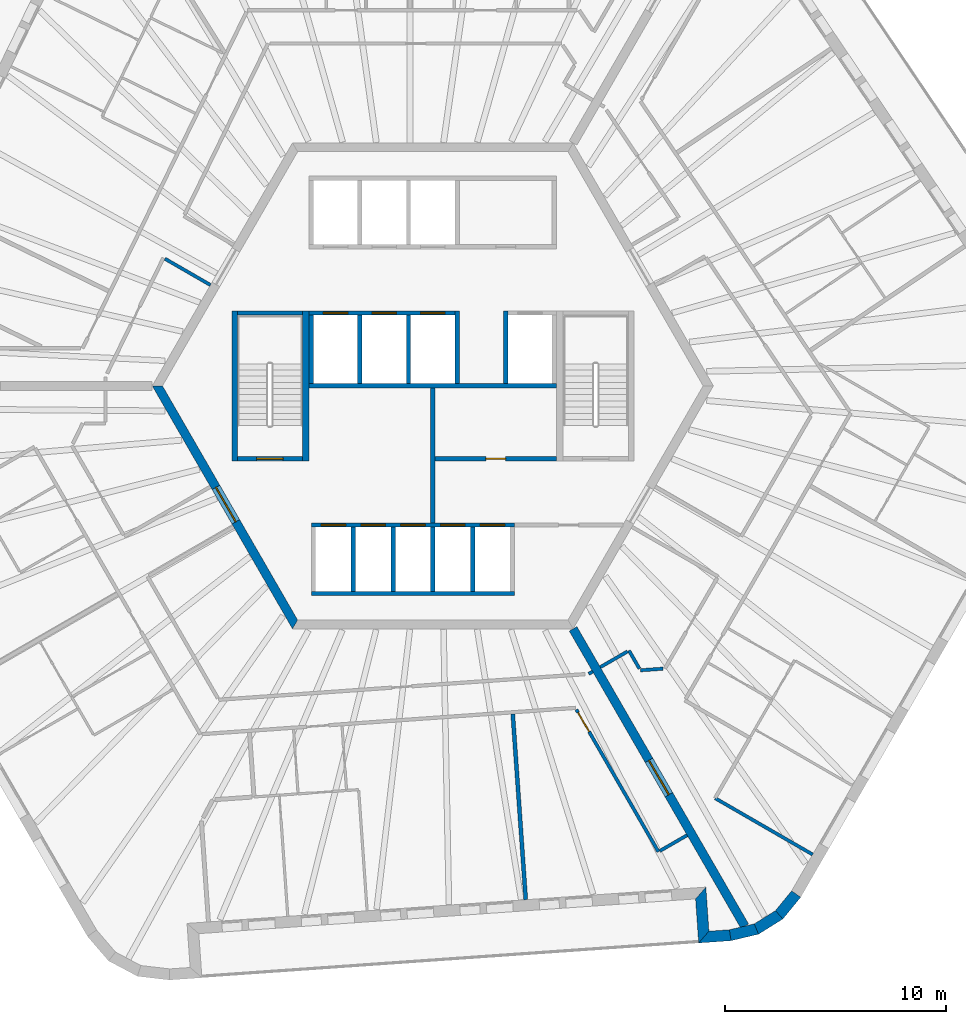
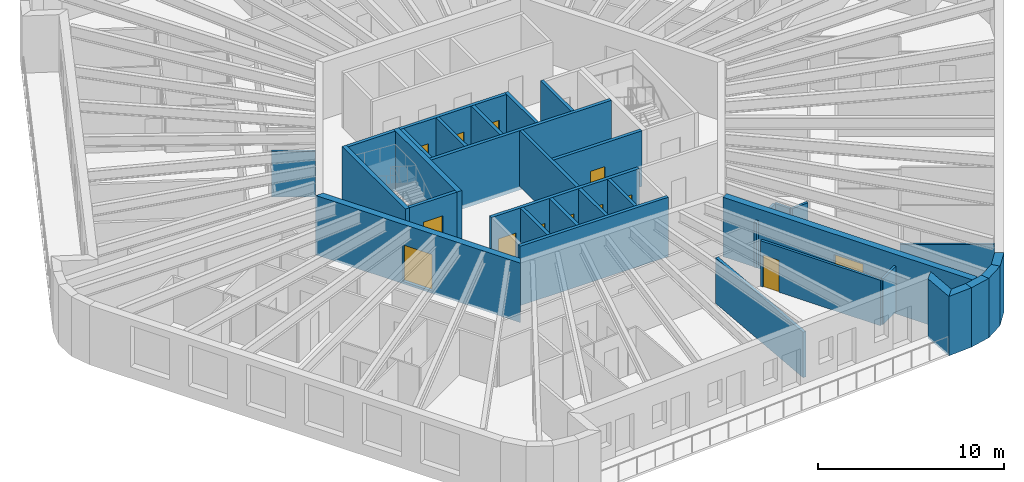
# One storey, part 5 of 12: 35 walls, 13 doors, 13 openings.
"""IFC4 building model written with IfcOpenShell, lengths in metres."""

from ifc_helpers import new_model, si_unit, direction, frame, frame_2d, origin, place, context, subcontext, project, spatial, polyline, rectangle, outline, extrude, material, layer, layer_set, type_object, element, fill, save


model = new_model("IFC4")

# Units and contexts
model_context = context("Model", 3, precision=1e-05, world=origin(), true_north=direction((0.0, 1.0)))
body_context = subcontext(model_context, "Body", "Model", "MODEL_VIEW")
ifc_project = project(units=[si_unit("LENGTHUNIT", "METRE"), si_unit("AREAUNIT", "SQUARE_METRE"), si_unit("VOLUMEUNIT", "CUBIC_METRE"), si_unit("PLANEANGLEUNIT", "RADIAN"), si_unit("MASSUNIT", "GRAM", prefix="KILO")], contexts=[model_context])

# Site, building, storey
site_placement = place(None, origin())
site = spatial("IfcSite", under=ifc_project, at=site_placement, CompositionType="ELEMENT")
building_placement = place(site_placement, origin())
building = spatial("IfcBuilding", under=site, at=building_placement, Name="Tarnside Tower", CompositionType="ELEMENT")
storey_placement = place(building_placement, frame((0.0, 0.0, 299.10009765625)))
storey = spatial("IfcBuildingStorey", under=building, at=storey_placement, Name="L72", CompositionType="ELEMENT", Elevation=299.10009765625)

# Wall, opening, door
ifc_material_1 = material(Name="Concrete C40/50", Category="concrete")
ifc_layer_1 = layer(ifc_material_1, 0.199951171875)
ifc_layer_set_1 = layer_set([ifc_layer_1], Name="Core room partition 200 C40/50")
wall_type_1 = type_object("IfcWallType", Name="Core room partition 200 C40/50", PredefinedType="PARTITIONING", material=ifc_layer_set_1)
wall_1_placement = place(storey_placement, frame((0.10009765625, -3.300048828125, 0.0), z_axis=(0.0, 0.0, 1.0), x_axis=(1.0, 0.0, 0.0)))
wall_1 = element("IfcWall", 1, at=wall_1_placement, inside=storey, type_object=wall_type_1, Name="L72 core partition R3S1", PredefinedType="PARTITIONING", context=body_context, shape_type="SweptSolid", body=[
    extrude(rectangle(XDim=5.5, YDim=0.199951171875, at=frame_2d((2.75, 0.0))), origin(), (0.0, 0.0, 1.0), 3.64990234375),
])
opening_1_placement = place(wall_1_placement, frame((2.300048828125, 0.0, 0.0)))
opening_1 = element("IfcOpeningElement", 2, at=opening_1_placement, cuts=wall_1, Name="Opening CD-room", PredefinedType="OPENING", context=body_context, shape_type="SweptSolid", body=[
    extrude(rectangle(XDim=0.89990234375, YDim=2.10009765625, at=frame_2d((0.449951171875, 1.050048828125))), frame((0.0, 0.10986328125, 0.0), z_axis=(0.0, -1.0, 0.0), x_axis=(1.0, 0.0, 0.0)), (0.0, 0.0, 1.0), 0.219970703125),
])
ifc_material_2 = material(Name="Steel fire door", Category="steel")
door_type_1 = type_object("IfcDoorType", Name="Room door FD60 900x2100", OperationType="NOTDEFINED", PredefinedType="DOOR", material=ifc_material_2)
door_1_placement = place(opening_1_placement, origin())
door_1 = element("IfcDoor", 3, at=door_1_placement, inside=storey, type_object=door_type_1, Name="L72 core room door SR1", OperationType="SINGLE_SWING_LEFT", OverallHeight=2.10009765625, OverallWidth=0.89990234375, PredefinedType="DOOR", context=body_context, shape_type="SweptSolid", body=[
    extrude(rectangle(XDim=0.89990234375, YDim=2.10009765625, at=frame_2d((0.449951171875, 1.050048828125))), frame((0.0, 0.02490234375, 0.0), z_axis=(0.0, -1.0, 0.0), x_axis=(1.0, 0.0, 0.0)), (0.0, 0.0, 1.0), 0.050048828125),
])
fill(opening_1, door_1)

# Wall
wall_2_placement = place(storey_placement, frame((0.0, -6.199951171875, 0.0), z_axis=(0.0, 0.0, 1.0), x_axis=(0.0, 1.0, 0.0)))
element("IfcWall", 4, at=wall_2_placement, inside=storey, type_object=wall_type_1, Name="L72 core partition X0", PredefinedType="PARTITIONING", context=body_context, shape_type="SweptSolid", body=[
    extrude(rectangle(XDim=6.099853515625, YDim=0.199951171875, at=frame_2d((3.0498046875, 0.0))), origin(), (0.0, 0.0, 1.0), 3.64990234375),
])

# Wall, opening, door
ifc_material_3 = material(Name="Concrete C60/75", Category="concrete")
ifc_layer_2 = layer(ifc_material_3, 0.39990234375)
ifc_layer_set_2 = layer_set([ifc_layer_2], Name="Core wall Z3 400 C60/75")
wall_type_2 = type_object("IfcWallType", Name="Core wall Z3 400 C60/75", PredefinedType="SHEAR", material=ifc_layer_set_2)
wall_3_placement = place(storey_placement, frame((-12.470703125, 0.0, -0.150146484375), z_axis=(0.0, 0.0, 1.0), x_axis=(0.499996419489, -0.866027470984, 0.0)))
wall_3 = element("IfcWall", 5, at=wall_3_placement, inside=storey, type_object=wall_type_2, Name="L72 core wall face 3", PredefinedType="SHEAR", context=body_context, shape_type="SweptSolid", body=[
    extrude(outline(polyline([(-0.115478515625, -0.199951171875), (12.586181640625, -0.199951171875), (12.355224609375, 0.199951171875), (0.115478515625, 0.199951171875), (-0.115478515625, -0.199951171875)])), origin(), (0.0, 0.0, 1.0), 3.900146484375),
])
opening_2_placement = place(wall_3_placement, frame((5.306396484375, 0.0, 0.14990234375)))
opening_2 = element("IfcOpeningElement", 6, at=opening_2_placement, cuts=wall_3, Name="Opening CD-FFL", PredefinedType="OPENING", context=body_context, shape_type="SweptSolid", body=[
    extrude(rectangle(XDim=1.800048828125, YDim=2.39990234375, at=frame_2d((0.89990234375, 1.199951171875))), frame((0.0, 0.2099609375, 0.0), z_axis=(0.0, -1.0, 0.0), x_axis=(1.0, 0.0, 0.0)), (0.0, 0.0, 1.0), 0.419921875),
])
door_type_2 = type_object("IfcDoorType", Name="Firefighting lobby double door FD60S 1800x2400", OperationType="NOTDEFINED", PredefinedType="DOOR", material=ifc_material_2)
door_2_placement = place(opening_2_placement, origin())
door_2 = element("IfcDoor", 7, at=door_2_placement, inside=storey, type_object=door_type_2, Name="L72 core door P3", OperationType="DOUBLE_DOOR_SINGLE_SWING", OverallHeight=2.39990234375, OverallWidth=1.800048828125, PredefinedType="DOOR", context=body_context, shape_type="SweptSolid", body=[
    extrude(rectangle(XDim=1.800048828125, YDim=2.39990234375, at=frame_2d((0.89990234375, 1.199951171875))), frame((0.0, 0.02490234375, 0.0), z_axis=(0.0, -1.0, 0.0), x_axis=(1.0, 0.0, 0.0)), (0.0, 0.0, 1.0), 0.050048828125),
])
fill(opening_2, door_2)

wall_4_placement = place(storey_placement, frame((6.350830078125, -11.0, -0.150146484375), z_axis=(0.0, 0.0, 1.0), x_axis=(0.499998894578, -0.866026041999, 0.0)))
wall_4 = element("IfcWall", 8, at=wall_4_placement, inside=storey, type_object=wall_type_2, Name="L72 spine wall 3", PredefinedType="SHEAR", context=body_context, shape_type="SweptSolid", body=[
    extrude(rectangle(XDim=15.54443359375, YDim=0.39990234375, at=frame_2d((7.772216796875, 0.0))), origin(), (0.0, 0.0, 1.0), 3.900146484375),
])
opening_3_placement = place(wall_4_placement, frame((6.872314453125, 0.0, 0.14990234375)))
opening_3 = element("IfcOpeningElement", 9, at=opening_3_placement, cuts=wall_4, Name="Opening CD-SPN", PredefinedType="OPENING", context=body_context, shape_type="SweptSolid", body=[
    extrude(rectangle(XDim=1.800048828125, YDim=2.39990234375, at=frame_2d((0.89990234375, 1.199951171875))), frame((0.0, 0.2099609375, 0.0), z_axis=(0.0, -1.0, 0.0), x_axis=(1.0, 0.0, 0.0)), (0.0, 0.0, 1.0), 0.419921875),
])
door_type_3 = type_object("IfcDoorType", Name="Spine passage double door FD60 1800x2400", OperationType="NOTDEFINED", PredefinedType="DOOR", material=ifc_material_2)
door_3_placement = place(opening_3_placement, origin())
door_3 = element("IfcDoor", 10, at=door_3_placement, inside=storey, type_object=door_type_3, Name="L72 spine passage door 3", OperationType="DOUBLE_DOOR_SINGLE_SWING", OverallHeight=2.39990234375, OverallWidth=1.800048828125, PredefinedType="DOOR", context=body_context, shape_type="SweptSolid", body=[
    extrude(rectangle(XDim=1.800048828125, YDim=2.39990234375, at=frame_2d((0.89990234375, 1.199951171875))), frame((0.0, 0.02490234375, 0.0), z_axis=(0.0, -1.0, 0.0), x_axis=(1.0, 0.0, 0.0)), (0.0, 0.0, 1.0), 0.050048828125),
])
fill(opening_3, door_3)

# Wall
ifc_material_4 = material(Name="Gypsum board partition on steel studs", Category="steel")
ifc_layer_3 = layer(ifc_material_4, 0.14990234375)
ifc_layer_set_3 = layer_set([ifc_layer_3], Name="Corridor wall 150 EI 60")
wall_type_3 = type_object("IfcWallType", Name="Corridor wall 150 EI 60", PredefinedType="PARTITIONING", material=ifc_layer_set_3)
wall_5_placement = place(storey_placement, frame((-12.12890625, 5.7568359375, 0.0), z_axis=(0.0, 0.0, 1.0), x_axis=(0.866033707122, -0.499985617921, 0.0)))
element("IfcWall", 11, at=wall_5_placement, inside=storey, type_object=wall_type_3, Name="Corridor wall 23027", PredefinedType="PARTITIONING", context=body_context, shape_type="SweptSolid", body=[
    extrude(rectangle(XDim=2.38232421875, YDim=0.14990234375, at=frame_2d((1.191162109375, 0.0))), origin(), (0.0, 0.0, 1.0), 2.98779296875),
])

# Wall, opening, door
wall_6_placement = place(storey_placement, frame((6.49951171875, -14.6572265625, 0.0), z_axis=(0.0, 0.0, 1.0), x_axis=(0.499966098742, -0.8660449758, 0.0)))
wall_6 = element("IfcWall", 12, at=wall_6_placement, inside=storey, type_object=wall_type_3, Name="Corridor wall 23042", PredefinedType="PARTITIONING", context=body_context, shape_type="SweptSolid", body=[
    extrude(rectangle(XDim=7.4306640625, YDim=0.14990234375, at=frame_2d((3.71533203125, 0.0))), origin(), (0.0, 0.0, 1.0), 2.98779296875),
])
opening_4_placement = place(wall_6_placement, frame((0.14990234375, 0.0, 0.0)))
opening_4 = element("IfcOpeningElement", 13, at=opening_4_placement, cuts=wall_6, Name="Opening D-E1", PredefinedType="OPENING", context=body_context, shape_type="SweptSolid", body=[
    extrude(rectangle(XDim=1.0, YDim=2.10009765625, at=frame_2d((0.5, 1.050048828125))), frame((0.0, 0.0849609375, 0.0), z_axis=(0.0, -1.0, 0.0), x_axis=(1.0, 0.0, 0.0)), (0.0, 0.0, 1.0), 0.169921875),
])
ifc_material_5 = material(Name="Timber door leaf", Category="wood")
door_type_4 = type_object("IfcDoorType", Name="Unit entrance door 1000 FD30S", OperationType="NOTDEFINED", PredefinedType="DOOR", material=ifc_material_5)
door_4_placement = place(opening_4_placement, origin())
door_4 = element("IfcDoor", 14, at=door_4_placement, inside=storey, type_object=door_type_4, Name="Unit door 23038", OperationType="SINGLE_SWING_RIGHT", OverallHeight=2.10009765625, OverallWidth=1.0, PredefinedType="DOOR", context=body_context, shape_type="SweptSolid", body=[
    extrude(rectangle(XDim=1.0, YDim=2.10009765625, at=frame_2d((0.5, 1.050048828125))), frame((0.0, 0.02490234375, 0.0), z_axis=(0.0, -1.0, 0.0), x_axis=(1.0, 0.0, 0.0)), (0.0, 0.0, 1.0), 0.050048828125),
])
fill(opening_4, door_4)

# Walls
wall_7_placement = place(storey_placement, frame((10.27978515625, -21.054931640625, 0.0), z_axis=(0.0, 0.0, 1.0), x_axis=(0.866020080793, 0.500009219579, 0.0)))
element("IfcWall", 15, at=wall_7_placement, inside=storey, type_object=wall_type_3, Name="Corridor wall 23043", PredefinedType="PARTITIONING", context=body_context, shape_type="SweptSolid", body=[
    extrude(rectangle(XDim=1.4248046875, YDim=0.14990234375, at=frame_2d((0.71240234375, 0.0))), origin(), (0.0, 0.0, 1.0), 2.98779296875),
])
wall_8_placement = place(storey_placement, frame((7.23681640625, -12.9345703125, 0.0), z_axis=(0.0, 0.0, 1.0), x_axis=(-0.866088799389, -0.499890179513, 0.0)))
element("IfcWall", 16, at=wall_8_placement, inside=storey, type_object=wall_type_3, Name="Corridor wall 23049", PredefinedType="PARTITIONING", context=body_context, shape_type="SweptSolid", body=[
    extrude(rectangle(XDim=0.2099609375, YDim=0.14990234375, at=frame_2d((0.10498046875, 0.0))), origin(), (0.0, 0.0, 1.0), 2.98779296875),
])
wall_9_placement = place(storey_placement, frame((17.196044921875, -21.215576171875, 0.0), z_axis=(0.0, 0.0, 1.0), x_axis=(-0.866024511559, 0.500001545377, 0.0)))
element("IfcWall", 17, at=wall_9_placement, inside=storey, type_object=wall_type_3, Name="Corridor wall 23058", PredefinedType="PARTITIONING", context=body_context, shape_type="SweptSolid", body=[
    extrude(rectangle(XDim=5.0986328125, YDim=0.14990234375, at=frame_2d((2.54931640625, 0.0))), origin(), (0.0, 0.0, 1.0), 2.98779296875),
])
wall_10_placement = place(storey_placement, frame((10.418701171875, -12.804443359375, 0.0), z_axis=(0.0, 0.0, 1.0), x_axis=(-0.997558136861, -0.069840987838, 0.0)))
element("IfcWall", 18, at=wall_10_placement, inside=storey, type_object=wall_type_3, Name="Corridor wall 23075", PredefinedType="PARTITIONING", context=body_context, shape_type="SweptSolid", body=[
    extrude(rectangle(XDim=1.024169921875, YDim=0.14990234375, at=frame_2d((0.51220703125, 0.0))), origin(), (0.0, 0.0, 1.0), 2.98779296875),
])
wall_11_placement = place(storey_placement, frame((9.355224609375, -12.8037109375, 0.0), z_axis=(0.0, 0.0, 1.0), x_axis=(-0.499998034377, 0.866026538634, 0.0)))
element("IfcWall", 19, at=wall_11_placement, inside=storey, type_object=wall_type_3, Name="Corridor wall 23076", PredefinedType="PARTITIONING", context=body_context, shape_type="SweptSolid", body=[
    extrude(rectangle(XDim=0.94580078125, YDim=0.14990234375, at=frame_2d((0.472900390625, 0.0))), origin(), (0.0, 0.0, 1.0), 2.98779296875),
])
wall_12_placement = place(storey_placement, frame((8.8173828125, -12.022216796875, 0.0), z_axis=(0.0, 0.0, 1.0), x_axis=(-0.866062911188, -0.499935029643, 0.0)))
element("IfcWall", 20, at=wall_12_placement, inside=storey, type_object=wall_type_3, Name="Corridor wall 23077", PredefinedType="PARTITIONING", context=body_context, shape_type="SweptSolid", body=[
    extrude(rectangle(XDim=1.425048828125, YDim=0.14990234375, at=frame_2d((0.71240234375, 0.0))), origin(), (0.0, 0.0, 1.0), 2.98779296875),
])
ifc_layer_4 = layer(ifc_material_4, 0.179931640625)
ifc_layer_set_4 = layer_set([ifc_layer_4], Name="Demising wall 180 EI 60")
wall_type_4 = type_object("IfcWallType", Name="Demising wall 180 EI 60", PredefinedType="PARTITIONING", material=ifc_layer_set_4)
wall_13_placement = place(storey_placement, frame((4.208251953125, -23.26318359375, 0.0), z_axis=(0.0, 0.0, 1.0), x_axis=(-0.069749826803, 0.997564515037, 0.0)))
element("IfcWall", 21, at=wall_13_placement, inside=storey, type_object=wall_type_4, Name="Demising wall 23133", PredefinedType="PARTITIONING", context=body_context, shape_type="SweptSolid", body=[
    extrude(rectangle(XDim=8.425048828125, YDim=0.179931640625, at=frame_2d((4.21240234375, 0.0))), origin(), (0.0, 0.0, 1.0), 2.98779296875),
])

# Wall, openings, doors
ifc_layer_5 = layer(ifc_material_1, 0.199951171875)
ifc_layer_set_5 = layer_set([ifc_layer_5], Name="Lift shaft wall 200 C40/50")
wall_type_5 = type_object("IfcWallType", Name="Lift shaft wall 200 C40/50", PredefinedType="SHEAR", material=ifc_layer_set_5)
wall_14_placement = place(storey_placement, frame((-5.60009765625, 3.300048828125, -0.25), z_axis=(0.0, 0.0, 1.0), x_axis=(1.0, 0.0, 0.0)))
wall_14 = element("IfcWall", 22, at=wall_14_placement, inside=storey, type_object=wall_type_5, Name="L72 lift shaft front wall R2", PredefinedType="SHEAR", context=body_context, shape_type="SweptSolid", body=[
    extrude(rectangle(XDim=6.60009765625, YDim=0.199951171875, at=frame_2d((3.300048828125, 0.0))), origin(), (0.0, 0.0, 1.0), 3.89990234375),
])
opening_5_placement = place(wall_14_placement, frame((0.64990234375, 0.0, 0.25)))
opening_5 = element("IfcOpeningElement", 23, at=opening_5_placement, cuts=wall_14, Name="Opening LD", PredefinedType="OPENING", context=body_context, shape_type="SweptSolid", body=[
    extrude(rectangle(XDim=1.10009765625, YDim=2.10009765625, at=frame_2d((0.550048828125, 1.050048828125))), frame((0.0, 0.10986328125, 0.0), z_axis=(0.0, -1.0, 0.0), x_axis=(1.0, 0.0, 0.0)), (0.0, 0.0, 1.0), 0.219970703125),
])
opening_6_placement = place(wall_14_placement, frame((2.85009765625, 0.0, 0.25)))
opening_6 = element("IfcOpeningElement", 24, at=opening_6_placement, cuts=wall_14, Name="Opening LD", PredefinedType="OPENING", context=body_context, shape_type="SweptSolid", body=[
    extrude(rectangle(XDim=1.10009765625, YDim=2.10009765625, at=frame_2d((0.550048828125, 1.050048828125))), frame((0.0, 0.10986328125, 0.0), z_axis=(0.0, -1.0, 0.0), x_axis=(1.0, 0.0, 0.0)), (0.0, 0.0, 1.0), 0.219970703125),
])
opening_7_placement = place(wall_14_placement, frame((5.050048828125, 0.0, 0.25)))
opening_7 = element("IfcOpeningElement", 25, at=opening_7_placement, cuts=wall_14, Name="Opening LD", PredefinedType="OPENING", context=body_context, shape_type="SweptSolid", body=[
    extrude(rectangle(XDim=1.10009765625, YDim=2.10009765625, at=frame_2d((0.550048828125, 1.050048828125))), frame((0.0, 0.10986328125, 0.0), z_axis=(0.0, -1.0, 0.0), x_axis=(1.0, 0.0, 0.0)), (0.0, 0.0, 1.0), 0.219970703125),
])
ifc_material_6 = material(Name="Stainless steel", Category="steel")
door_type_5 = type_object("IfcDoorType", Name="Lift landing door 1100x2100", OperationType="NOTDEFINED", PredefinedType="DOOR", material=ifc_material_6)
door_5_placement = place(opening_5_placement, origin())
door_5 = element("IfcDoor", 26, at=door_5_placement, inside=storey, type_object=door_type_5, Name="High-rise lift 4 landing door L72", OperationType="SLIDING_TO_LEFT", OverallHeight=2.10009765625, OverallWidth=1.10009765625, PredefinedType="DOOR", context=body_context, shape_type="SweptSolid", body=[
    extrude(rectangle(XDim=1.10009765625, YDim=2.10009765625, at=frame_2d((0.550048828125, 1.050048828125))), frame((0.0, 0.02490234375, 0.0), z_axis=(0.0, -1.0, 0.0), x_axis=(1.0, 0.0, 0.0)), (0.0, 0.0, 1.0), 0.050048828125),
])
fill(opening_5, door_5)
door_6_placement = place(opening_6_placement, origin())
door_6 = element("IfcDoor", 27, at=door_6_placement, inside=storey, type_object=door_type_5, Name="High-rise lift 5 landing door L72", OperationType="SLIDING_TO_LEFT", OverallHeight=2.10009765625, OverallWidth=1.10009765625, PredefinedType="DOOR", context=body_context, shape_type="SweptSolid", body=[
    extrude(rectangle(XDim=1.10009765625, YDim=2.10009765625, at=frame_2d((0.550048828125, 1.050048828125))), frame((0.0, 0.02490234375, 0.0), z_axis=(0.0, -1.0, 0.0), x_axis=(1.0, 0.0, 0.0)), (0.0, 0.0, 1.0), 0.050048828125),
])
fill(opening_6, door_6)
door_7_placement = place(opening_7_placement, origin())
door_7 = element("IfcDoor", 28, at=door_7_placement, inside=storey, type_object=door_type_5, Name="High-rise lift 6 landing door L72", OperationType="SLIDING_TO_LEFT", OverallHeight=2.10009765625, OverallWidth=1.10009765625, PredefinedType="DOOR", context=body_context, shape_type="SweptSolid", body=[
    extrude(rectangle(XDim=1.10009765625, YDim=2.10009765625, at=frame_2d((0.550048828125, 1.050048828125))), frame((0.0, 0.02490234375, 0.0), z_axis=(0.0, -1.0, 0.0), x_axis=(1.0, 0.0, 0.0)), (0.0, 0.0, 1.0), 0.050048828125),
])
fill(opening_7, door_7)

# Walls
wall_15_placement = place(storey_placement, frame((-5.60009765625, 0.0, -0.25), z_axis=(0.0, 0.0, 1.0), x_axis=(1.0, 0.0, 0.0)))
element("IfcWall", 29, at=wall_15_placement, inside=storey, type_object=wall_type_5, Name="L72 lift shaft back wall R2", PredefinedType="SHEAR", context=body_context, shape_type="SweptSolid", body=[
    extrude(rectangle(XDim=11.2001953125, YDim=0.199951171875, at=frame_2d((5.60009765625, 0.0))), origin(), (0.0, 0.0, 1.0), 3.89990234375),
])
for number, where, z_axis, x_axis, name in (
    (30, (-5.5, 0.10009765625, -0.25), (0.0, 0.0, 1.0), (0.0, 1.0, 0.0), "L72 lift shaft partition R21"),
    (31, (-3.300048828125, 0.10009765625, -0.25), (0.0, 0.0, 1.0), (0.0, 1.0, 0.0), "L72 lift shaft partition R22"),
    (32, (-1.10009765625, 0.10009765625, -0.25), (0.0, 0.0, 1.0), (0.0, 1.0, 0.0), "L72 lift shaft partition R23"),
):
    element("IfcWall", number, at=place(storey_placement, frame(where, z_axis=z_axis, x_axis=x_axis)), inside=storey, type_object=wall_type_5, Name=name, PredefinedType="SHEAR", context=body_context, shape_type="SweptSolid", body=[
        extrude(rectangle(XDim=3.099853515625, YDim=0.199951171875, at=frame_2d((1.5498046875, 0.0))), origin(), (0.0, 0.0, 1.0), 3.89990234375),
    ])
for number, where, z_axis, x_axis, name in (
    (33, (1.10009765625, 0.10009765625, -0.25), (0.0, 0.0, 1.0), (0.0, 1.0, 0.0), "L72 lift shaft partition R24"),
    (34, (3.300048828125, 0.10009765625, -0.25), (0.0, 0.0, 1.0), (0.0, 1.0, 0.0), "L72 lift shaft partition R25"),
):
    element("IfcWall", number, at=place(storey_placement, frame(where, z_axis=z_axis, x_axis=x_axis)), inside=storey, type_object=wall_type_5, Name=name, PredefinedType="SHEAR", context=body_context, shape_type="SweptSolid", body=[
        extrude(rectangle(XDim=3.2998046875, YDim=0.199951171875, at=frame_2d((1.64990234375, 0.0))), origin(), (0.0, 0.0, 1.0), 3.89990234375),
    ])

# Wall, openings, doors
wall_16_placement = place(storey_placement, frame((-5.5, -6.300048828125, -0.25), z_axis=(0.0, 0.0, 1.0), x_axis=(1.0, 0.0, 0.0)))
wall_16 = element("IfcWall", 35, at=wall_16_placement, inside=storey, type_object=wall_type_5, Name="L72 lift shaft front wall R4", PredefinedType="SHEAR", context=body_context, shape_type="SweptSolid", body=[
    extrude(rectangle(XDim=9.199951171875, YDim=0.199951171875, at=frame_2d((4.60009765625, 0.0))), origin(), (0.0, 0.0, 1.0), 3.89990234375),
])
opening_8_placement = place(wall_16_placement, frame((0.449951171875, 0.0, 0.25)))
opening_8 = element("IfcOpeningElement", 36, at=opening_8_placement, cuts=wall_16, Name="Opening LDF", PredefinedType="OPENING", context=body_context, shape_type="SweptSolid", body=[
    extrude(rectangle(XDim=1.10009765625, YDim=2.10009765625, at=frame_2d((0.550048828125, 1.050048828125))), frame((0.0, 0.10986328125, 0.0), z_axis=(0.0, -1.0, 0.0), x_axis=(1.0, 0.0, 0.0)), (0.0, 0.0, 1.0), 0.219970703125),
])
opening_9_placement = place(wall_16_placement, frame((2.25, 0.0, 0.25)))
opening_9 = element("IfcOpeningElement", 37, at=opening_9_placement, cuts=wall_16, Name="Opening LDF", PredefinedType="OPENING", context=body_context, shape_type="SweptSolid", body=[
    extrude(rectangle(XDim=1.10009765625, YDim=2.10009765625, at=frame_2d((0.550048828125, 1.050048828125))), frame((0.0, 0.10986328125, 0.0), z_axis=(0.0, -1.0, 0.0), x_axis=(1.0, 0.0, 0.0)), (0.0, 0.0, 1.0), 0.219970703125),
])
opening_10_placement = place(wall_16_placement, frame((4.050048828125, 0.0, 0.25)))
opening_10 = element("IfcOpeningElement", 38, at=opening_10_placement, cuts=wall_16, Name="Opening LDF", PredefinedType="OPENING", context=body_context, shape_type="SweptSolid", body=[
    extrude(rectangle(XDim=1.10009765625, YDim=2.10009765625, at=frame_2d((0.550048828125, 1.050048828125))), frame((0.0, 0.10986328125, 0.0), z_axis=(0.0, -1.0, 0.0), x_axis=(1.0, 0.0, 0.0)), (0.0, 0.0, 1.0), 0.219970703125),
])
opening_11_placement = place(wall_16_placement, frame((5.85009765625, 0.0, 0.25)))
opening_11 = element("IfcOpeningElement", 39, at=opening_11_placement, cuts=wall_16, Name="Opening LDF", PredefinedType="OPENING", context=body_context, shape_type="SweptSolid", body=[
    extrude(rectangle(XDim=1.10009765625, YDim=2.10009765625, at=frame_2d((0.550048828125, 1.050048828125))), frame((0.0, 0.10986328125, 0.0), z_axis=(0.0, -1.0, 0.0), x_axis=(1.0, 0.0, 0.0)), (0.0, 0.0, 1.0), 0.219970703125),
])
opening_12_placement = place(wall_16_placement, frame((7.64990234375, 0.0, 0.25)))
opening_12 = element("IfcOpeningElement", 40, at=opening_12_placement, cuts=wall_16, Name="Opening LDF", PredefinedType="OPENING", context=body_context, shape_type="SweptSolid", body=[
    extrude(rectangle(XDim=1.10009765625, YDim=2.10009765625, at=frame_2d((0.550048828125, 1.050048828125))), frame((0.0, 0.10986328125, 0.0), z_axis=(0.0, -1.0, 0.0), x_axis=(1.0, 0.0, 0.0)), (0.0, 0.0, 1.0), 0.219970703125),
])
door_type_6 = type_object("IfcDoorType", Name="Lift landing door 1100x2100 EI 120", OperationType="NOTDEFINED", PredefinedType="DOOR", material=ifc_material_6)
door_8_placement = place(opening_8_placement, origin())
door_8 = element("IfcDoor", 41, at=door_8_placement, inside=storey, type_object=door_type_6, Name="Firefighting lift 1 landing door L72", OperationType="SLIDING_TO_LEFT", OverallHeight=2.10009765625, OverallWidth=1.10009765625, PredefinedType="DOOR", context=body_context, shape_type="SweptSolid", body=[
    extrude(rectangle(XDim=1.10009765625, YDim=2.10009765625, at=frame_2d((0.550048828125, 1.050048828125))), frame((0.0, 0.02490234375, 0.0), z_axis=(0.0, -1.0, 0.0), x_axis=(1.0, 0.0, 0.0)), (0.0, 0.0, 1.0), 0.050048828125),
])
fill(opening_8, door_8)
door_9_placement = place(opening_9_placement, origin())
door_9 = element("IfcDoor", 42, at=door_9_placement, inside=storey, type_object=door_type_6, Name="Firefighting lift 2 landing door L72", OperationType="SLIDING_TO_LEFT", OverallHeight=2.10009765625, OverallWidth=1.10009765625, PredefinedType="DOOR", context=body_context, shape_type="SweptSolid", body=[
    extrude(rectangle(XDim=1.10009765625, YDim=2.10009765625, at=frame_2d((0.550048828125, 1.050048828125))), frame((0.0, 0.02490234375, 0.0), z_axis=(0.0, -1.0, 0.0), x_axis=(1.0, 0.0, 0.0)), (0.0, 0.0, 1.0), 0.050048828125),
])
fill(opening_9, door_9)
door_10_placement = place(opening_10_placement, origin())
door_10 = element("IfcDoor", 43, at=door_10_placement, inside=storey, type_object=door_type_6, Name="Firefighting lift 3 landing door L72", OperationType="SLIDING_TO_LEFT", OverallHeight=2.10009765625, OverallWidth=1.10009765625, PredefinedType="DOOR", context=body_context, shape_type="SweptSolid", body=[
    extrude(rectangle(XDim=1.10009765625, YDim=2.10009765625, at=frame_2d((0.550048828125, 1.050048828125))), frame((0.0, 0.02490234375, 0.0), z_axis=(0.0, -1.0, 0.0), x_axis=(1.0, 0.0, 0.0)), (0.0, 0.0, 1.0), 0.050048828125),
])
fill(opening_10, door_10)
door_11_placement = place(opening_11_placement, origin())
door_11 = element("IfcDoor", 44, at=door_11_placement, inside=storey, type_object=door_type_6, Name="Firefighting lift 4 landing door L72", OperationType="SLIDING_TO_LEFT", OverallHeight=2.10009765625, OverallWidth=1.10009765625, PredefinedType="DOOR", context=body_context, shape_type="SweptSolid", body=[
    extrude(rectangle(XDim=1.10009765625, YDim=2.10009765625, at=frame_2d((0.550048828125, 1.050048828125))), frame((0.0, 0.02490234375, 0.0), z_axis=(0.0, -1.0, 0.0), x_axis=(1.0, 0.0, 0.0)), (0.0, 0.0, 1.0), 0.050048828125),
])
fill(opening_11, door_11)
door_12_placement = place(opening_12_placement, origin())
door_12 = element("IfcDoor", 45, at=door_12_placement, inside=storey, type_object=door_type_6, Name="Firefighting lift 5 landing door L72", OperationType="SLIDING_TO_LEFT", OverallHeight=2.10009765625, OverallWidth=1.10009765625, PredefinedType="DOOR", context=body_context, shape_type="SweptSolid", body=[
    extrude(rectangle(XDim=1.10009765625, YDim=2.10009765625, at=frame_2d((0.550048828125, 1.050048828125))), frame((0.0, 0.02490234375, 0.0), z_axis=(0.0, -1.0, 0.0), x_axis=(1.0, 0.0, 0.0)), (0.0, 0.0, 1.0), 0.050048828125),
])
fill(opening_12, door_12)

# Walls
wall_17_placement = place(storey_placement, frame((-5.5, -9.39990234375, -0.25), z_axis=(0.0, 0.0, 1.0), x_axis=(1.0, 0.0, 0.0)))
element("IfcWall", 46, at=wall_17_placement, inside=storey, type_object=wall_type_5, Name="L72 lift shaft back wall R4", PredefinedType="SHEAR", context=body_context, shape_type="SweptSolid", body=[
    extrude(rectangle(XDim=9.199951171875, YDim=0.199951171875, at=frame_2d((4.60009765625, 0.0))), origin(), (0.0, 0.0, 1.0), 3.89990234375),
])
for number, where, z_axis, x_axis, name in (
    (47, (-3.60009765625, -9.300048828125, -0.25), (0.0, 0.0, 1.0), (0.0, 1.0, 0.0), "L72 lift shaft partition R42"),
    (48, (-1.800048828125, -9.300048828125, -0.25), (0.0, 0.0, 1.0), (0.0, 1.0, 0.0), "L72 lift shaft partition R43"),
    (49, (0.0, -9.300048828125, -0.25), (0.0, 0.0, 1.0), (0.0, 1.0, 0.0), "L72 lift shaft partition R44"),
    (50, (1.800048828125, -9.300048828125, -0.25), (0.0, 0.0, 1.0), (0.0, 1.0, 0.0), "L72 lift shaft partition R45"),
):
    element("IfcWall", number, at=place(storey_placement, frame(where, z_axis=z_axis, x_axis=x_axis)), inside=storey, type_object=wall_type_5, Name=name, PredefinedType="SHEAR", context=body_context, shape_type="SweptSolid", body=[
        extrude(rectangle(XDim=2.900146484375, YDim=0.199951171875, at=frame_2d((1.4501953125, 0.0))), origin(), (0.0, 0.0, 1.0), 3.89990234375),
    ])
wall_18_placement = place(storey_placement, frame((-8.85009765625, 3.300048828125, -0.25), z_axis=(0.0, 0.0, 1.0), x_axis=(1.0, 0.0, 0.0)))
element("IfcWall", 51, at=wall_18_placement, inside=storey, type_object=wall_type_5, Name="L72 stair 2 enclosure cap wall n", PredefinedType="SHEAR", context=body_context, shape_type="SweptSolid", body=[
    extrude(rectangle(XDim=2.9501953125, YDim=0.199951171875, at=frame_2d((1.47509765625, 0.0))), origin(), (0.0, 0.0, 1.0), 3.89990234375),
])

# Wall, opening, door
wall_19_placement = place(storey_placement, frame((-8.85009765625, -3.300048828125, -0.25), z_axis=(0.0, 0.0, 1.0), x_axis=(1.0, 0.0, 0.0)))
wall_19 = element("IfcWall", 52, at=wall_19_placement, inside=storey, type_object=wall_type_5, Name="L72 stair 2 enclosure cap wall s", PredefinedType="SHEAR", context=body_context, shape_type="SweptSolid", body=[
    extrude(rectangle(XDim=2.9501953125, YDim=0.199951171875, at=frame_2d((1.47509765625, 0.0))), origin(), (0.0, 0.0, 1.0), 3.89990234375),
])
opening_13_placement = place(wall_19_placement, frame((0.875, 0.0, 0.25)))
opening_13 = element("IfcOpeningElement", 53, at=opening_13_placement, cuts=wall_19, Name="Opening CD-STR", PredefinedType="OPENING", context=body_context, shape_type="SweptSolid", body=[
    extrude(rectangle(XDim=1.199951171875, YDim=2.39990234375, at=frame_2d((0.60009765625, 1.199951171875))), frame((0.0, 0.10986328125, 0.0), z_axis=(0.0, -1.0, 0.0), x_axis=(1.0, 0.0, 0.0)), (0.0, 0.0, 1.0), 0.219970703125),
])
door_type_7 = type_object("IfcDoorType", Name="Stair door FD60S 1200x2400", OperationType="NOTDEFINED", PredefinedType="DOOR", material=ifc_material_2)
door_13_placement = place(opening_13_placement, origin())
door_13 = element("IfcDoor", 54, at=door_13_placement, inside=storey, type_object=door_type_7, Name="L72 stair 2 door", OperationType="SINGLE_SWING_LEFT", OverallHeight=2.39990234375, OverallWidth=1.199951171875, PredefinedType="DOOR", context=body_context, shape_type="SweptSolid", body=[
    extrude(rectangle(XDim=1.199951171875, YDim=2.39990234375, at=frame_2d((0.60009765625, 1.199951171875))), frame((0.0, 0.02490234375, 0.0), z_axis=(0.0, -1.0, 0.0), x_axis=(1.0, 0.0, 0.0)), (0.0, 0.0, 1.0), 0.050048828125),
])
fill(opening_13, door_13)

# Walls
ifc_material_7 = material(Name="Dark zinc cladding")
ifc_layer_6 = layer(ifc_material_7, 0.10205078125)
ifc_material_8 = material(Name="Concrete C60/75 precast", Category="concrete")
ifc_layer_7 = layer(ifc_material_8, 0.298095703125)
ifc_material_9 = material(Name="Mineral wool insulation")
ifc_layer_8 = layer(ifc_material_9, 0.10009765625)
ifc_layer_set_6 = layer_set([ifc_layer_6, ifc_layer_7, ifc_layer_8], Name="Loggia wall 500 zinc faced")
wall_type_6 = type_object("IfcWallType", Name="Loggia wall 500 zinc faced", PredefinedType="SOLIDWALL", material=ifc_layer_set_6)
wall_20_placement = place(storey_placement, frame((12.128662109375, -22.9599609375, -0.150146484375), z_axis=(0.0, 0.0, 1.0), x_axis=(0.069824268692, -0.99755930726, 0.0)))
element("IfcWall", 55, at=wall_20_placement, inside=storey, type_object=wall_type_6, Name="Tube wall L72 F4 return 19", PredefinedType="SOLIDWALL", context=body_context, shape_type="SweptSolid", body=[
    extrude(outline(polyline([(0.25, -0.25), (2.25, -0.25), (1.75, 0.25), (-0.25, 0.25), (0.25, -0.25)])), origin(), (0.0, 0.0, 1.0), 3.900146484375),
])
wall_21_placement = place(storey_placement, frame((12.268310546875, -24.955078125, -0.150146484375), z_axis=(0.0, 0.0, 1.0), x_axis=(0.997561942506, 0.06978660948, 0.0)))
element("IfcWall", 56, at=wall_21_placement, inside=storey, type_object=wall_type_6, Name="Tube wall L72 F4 stub 20", PredefinedType="SOLIDWALL", context=body_context, shape_type="SweptSolid", body=[
    extrude(outline(polyline([(-0.25, -0.25), (1.220458984375, -0.25), (1.179443359375, 0.25), (0.25, 0.25), (-0.25, -0.25)])), origin(), (0.0, 0.0, 1.0), 3.900146484375),
])
ifc_layer_9 = layer(ifc_material_1, 0.25)
ifc_layer_set_7 = layer_set([ifc_layer_9], Name="Stair enclosure wall 250 C40/50")
wall_type_7 = type_object("IfcWallType", Name="Stair enclosure wall 250 C40/50", PredefinedType="SHEAR", material=ifc_layer_set_7)
wall_22_placement = place(storey_placement, frame((-8.97509765625, -3.39990234375, -0.25), z_axis=(0.0, 0.0, 1.0), x_axis=(0.0, 1.0, 0.0)))
element("IfcWall", 57, at=wall_22_placement, inside=storey, type_object=wall_type_7, Name="L72 stair 2 enclosure wall outer", PredefinedType="SHEAR", context=body_context, shape_type="SweptSolid", body=[
    extrude(rectangle(XDim=6.7998046875, YDim=0.25, at=frame_2d((3.39990234375, 0.0))), origin(), (0.0, 0.0, 1.0), 3.89990234375),
])
ifc_layer_10 = layer(ifc_material_1, 0.300048828125)
ifc_layer_set_8 = layer_set([ifc_layer_10], Name="Stair enclosure wall 300 C40/50")
wall_type_8 = type_object("IfcWallType", Name="Stair enclosure wall 300 C40/50", PredefinedType="SHEAR", material=ifc_layer_set_8)
wall_23_placement = place(storey_placement, frame((-5.75, -3.39990234375, -0.25), z_axis=(0.0, 0.0, 1.0), x_axis=(0.0, 1.0, 0.0)))
element("IfcWall", 58, at=wall_23_placement, inside=storey, type_object=wall_type_8, Name="L72 stair 2 enclosure wall inner", PredefinedType="SHEAR", context=body_context, shape_type="SweptSolid", body=[
    extrude(rectangle(XDim=6.7998046875, YDim=0.300048828125, at=frame_2d((3.39990234375, 0.0))), origin(), (0.0, 0.0, 1.0), 3.89990234375),
])
ifc_material_10 = material(Name="Facing brick", Category="masonry")
ifc_layer_11 = layer(ifc_material_10, 0.10205078125)
ifc_layer_12 = layer(ifc_material_8, 0.298095703125)
ifc_layer_13 = layer(ifc_material_9, 0.10009765625)
ifc_layer_set_9 = layer_set([ifc_layer_11, ifc_layer_12, ifc_layer_13], Name="Tube wall 500 brick faced")
wall_type_9 = type_object("IfcWallType", Name="Tube wall 500 brick faced", PredefinedType="SOLIDWALL", material=ifc_layer_set_9)
wall_24_placement = place(storey_placement, frame((13.46533203125, -24.871337890625, -0.150146484375), z_axis=(0.0, 0.0, 1.0), x_axis=(0.973044740285, 0.230616420501, 0.0)))
element("IfcWall", 59, at=wall_24_placement, inside=storey, type_object=wall_type_9, Name="Tube wall L72 F4 chord 21", PredefinedType="SOLIDWALL", context=body_context, shape_type="SweptSolid", body=[
    extrude(outline(polyline([(-0.0205078125, -0.25), (1.25732421875, -0.25), (1.17529296875, 0.25), (0.0205078125, 0.25), (-0.0205078125, -0.25)])), origin(), (0.0, 0.0, 1.0), 3.900146484375),
])
wall_25_placement = place(storey_placement, frame((14.64892578125, -24.5908203125, -0.150146484375), z_axis=(0.0, 0.0, 1.0), x_axis=(0.848054682072, 0.529908724419, 0.0)))
element("IfcWall", 60, at=wall_25_placement, inside=storey, type_object=wall_type_9, Name="Tube wall L72 F4 chord 22", PredefinedType="SOLIDWALL", context=body_context, shape_type="SweptSolid", body=[
    extrude(outline(polyline([(-0.041015625, -0.25), (1.25732421875, -0.25), (1.17529296875, 0.25), (0.041015625, 0.25), (-0.041015625, -0.25)])), origin(), (0.0, 0.0, 1.0), 3.900146484375),
])
wall_26_placement = place(storey_placement, frame((15.680419921875, -23.9462890625, -0.150146484375), z_axis=(0.0, 0.0, 1.0), x_axis=(0.633805934167, 0.773492105852, 0.0)))
element("IfcWall", 61, at=wall_26_placement, inside=storey, type_object=wall_type_9, Name="Tube wall L72 F4 chord 23", PredefinedType="SOLIDWALL", context=body_context, shape_type="SweptSolid", body=[
    extrude(outline(polyline([(-0.041015625, -0.25), (1.237060546875, -0.25), (1.196044921875, 0.25), (0.041015625, 0.25), (-0.041015625, -0.25)])), origin(), (0.0, 0.0, 1.0), 3.900146484375),
])

save(model, "model.ifc")
